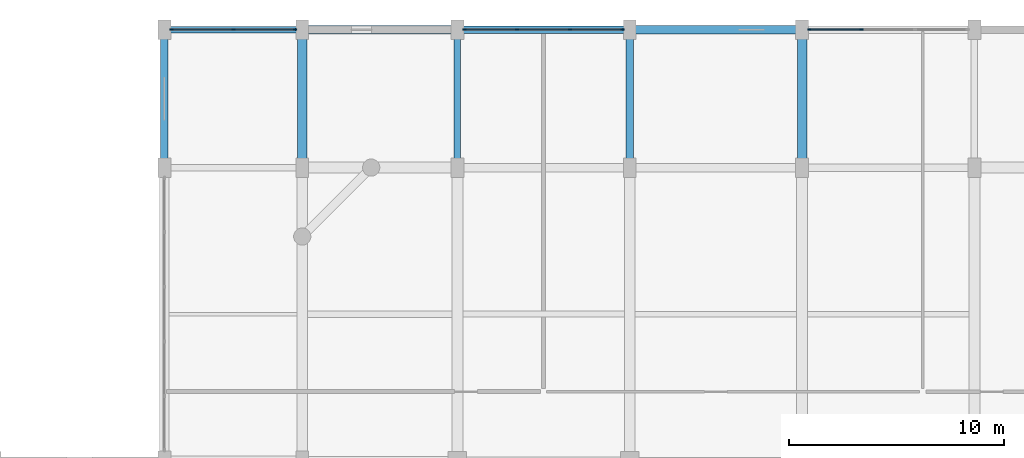
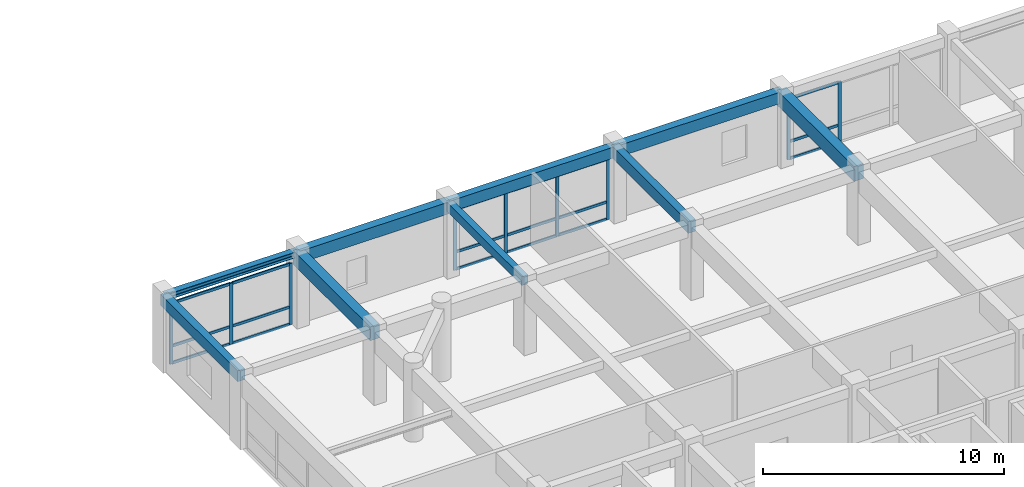
# One storey, part 14 of 27: 27 members, 9 beams, 3 elements without a shape of their own.
"""IFC4 building model written with IfcOpenShell, lengths in metres."""

from ifc_helpers import new_model, si_unit, direction, frame, origin, origin_2d, place, context, subcontext, project, spatial, rectangle, i_section, extrude, material, material_profile, profile_set, type_object, element, aggregate, save


model = new_model("IFC4")

# Units and contexts
model_context = context("Model", 3, precision=1e-05, world=origin(), true_north=direction((0.0, 1.0)))
body_context = subcontext(model_context, "Body", "Model", "MODEL_VIEW")
ifc_project = project(units=[si_unit("LENGTHUNIT", "METRE"), si_unit("AREAUNIT", "SQUARE_METRE"), si_unit("VOLUMEUNIT", "CUBIC_METRE"), si_unit("PLANEANGLEUNIT", "RADIAN"), si_unit("MASSUNIT", "GRAM", prefix="KILO")], contexts=[model_context])

# Site, building, storey
site_placement = place(None, origin())
site = spatial("IfcSite", under=ifc_project, at=site_placement, CompositionType="ELEMENT")
building_placement = place(site_placement, origin())
building = spatial("IfcBuilding", under=site, at=building_placement, Name="Vellmiral Cinema and Media Centre", CompositionType="ELEMENT")
storey_placement = place(building_placement, frame((0.0, 0.0, 19.800048828125)))
storey = spatial("IfcBuildingStorey", under=building, at=storey_placement, Name="L04", CompositionType="ELEMENT", Elevation=19.800048828125)

# Beams
ifc_material_1 = material(Name="Concrete C40/50", Category="concrete")
ifc_material_profile_1 = material_profile(ifc_material_1, rectangle(XDim=0.300048828125, YDim=0.449951171875, at=origin_2d()), Name="RC 300x450")
ifc_profile_set_1 = profile_set([ifc_material_profile_1], Name="Concrete C40/50")
beam_type_1 = type_object("IfcBeamType", Name="BM-RC-300x450", PredefinedType="BEAM", material=ifc_profile_set_1)
beam_1_placement = place(storey_placement, frame((124.0, 108.800048828125, 3.469970703125), z_axis=(0.0, 1.0, 0.0), x_axis=(-1.0, 0.0, 0.0)))
element("IfcBeam", 1, at=beam_1_placement, inside=storey, type_object=beam_type_1, Name="Grid Beam L04-Y081", PredefinedType="BEAM", context=body_context, shape_type="SweptSolid", body=[
    extrude(rectangle(XDim=0.300048828125, YDim=0.449951171875, at=origin_2d()), origin(), (0.0, 0.0, 1.0), 6.39990234375),
])
ifc_material_2 = material(Name="Concrete C40/50", Category="concrete")
ifc_material_profile_2 = material_profile(ifc_material_2, rectangle(XDim=0.35009765625, YDim=0.60009765625, at=origin_2d()), Name="RC 350x600")
ifc_profile_set_2 = profile_set([ifc_material_profile_2], Name="Concrete C40/50")
beam_type_2 = type_object("IfcBeamType", Name="BM-RC-350x600", PredefinedType="BEAM", material=ifc_profile_set_2)
beam_2_placement = place(storey_placement, frame((132.0, 108.800048828125, 3.39501953125), z_axis=(0.0, 1.0, 0.0), x_axis=(-1.0, 0.0, 0.0)))
element("IfcBeam", 2, at=beam_2_placement, inside=storey, type_object=beam_type_2, Name="Grid Beam L04-Y088", PredefinedType="BEAM", context=body_context, shape_type="SweptSolid", body=[
    extrude(rectangle(XDim=0.35009765625, YDim=0.60009765625, at=origin_2d()), origin(), (0.0, 0.0, 1.0), 6.39990234375),
])
ifc_material_3 = material(Name="Concrete C40/50", Category="concrete")
ifc_material_profile_3 = material_profile(ifc_material_3, rectangle(XDim=0.449951171875, YDim=0.699951171875, at=origin_2d()), Name="RC 450x700")
ifc_profile_set_3 = profile_set([ifc_material_profile_3], Name="Concrete C40/50")
beam_type_3 = type_object("IfcBeamType", Name="BM-RC-450x700", PredefinedType="BEAM", material=ifc_profile_set_3)
beam_3_placement = place(storey_placement, frame((116.800048828125, 108.800048828125, 3.344970703125), z_axis=(0.0, 1.0, 0.0), x_axis=(-1.0, 0.0, 0.0)))
element("IfcBeam", 3, at=beam_3_placement, inside=storey, type_object=beam_type_3, Name="Grid Beam L04-Y074", PredefinedType="BEAM", context=body_context, shape_type="SweptSolid", body=[
    extrude(rectangle(XDim=0.449951171875, YDim=0.699951171875, at=origin_2d()), origin(), (0.0, 0.0, 1.0), 6.39990234375),
])
ifc_material_4 = material(Name="Concrete C40/50", Category="concrete")
ifc_material_profile_4 = material_profile(ifc_material_4, rectangle(XDim=0.449951171875, YDim=0.75, at=origin_2d()), Name="RC 450x750")
ifc_profile_set_4 = profile_set([ifc_material_profile_4], Name="Concrete C40/50")
beam_type_4 = type_object("IfcBeamType", Name="BM-RC-450x750", PredefinedType="BEAM", material=ifc_profile_set_4)
beam_4_placement = place(storey_placement, frame((140.0, 108.800048828125, 3.320068359375), z_axis=(0.0, 1.0, 0.0), x_axis=(-1.0, 0.0, 0.0)))
element("IfcBeam", 4, at=beam_4_placement, inside=storey, type_object=beam_type_4, Name="Grid Beam L04-Y095", PredefinedType="BEAM", context=body_context, shape_type="SweptSolid", body=[
    extrude(rectangle(XDim=0.449951171875, YDim=0.75, at=origin_2d()), origin(), (0.0, 0.0, 1.0), 6.39990234375),
])

# Curtain wall, members
ifc_material_5 = material(Name="Thermally Broken Aluminium and Triple Glazing", Category="aluminium")
curtain_wall_type = type_object("IfcCurtainWallType", Name="CW-TOWER-LOW-S", PredefinedType="USERDEFINED", material=ifc_material_5)
curtain_wall_1_placement = place(storey_placement, origin())
curtain_wall_1 = element("IfcCurtainWall", 5, at=curtain_wall_1_placement, inside=storey, type_object=curtain_wall_type, Name="Curtain Wall L04-B023", ObjectType="UNITISED CURTAIN WALL", PredefinedType="USERDEFINED")
ifc_material_6 = material(Name="Thermally Broken Anodised Aluminium", Category="aluminium")
ifc_material_profile_5 = material_profile(ifc_material_6, rectangle(XDim=0.06494140625, YDim=0.159912109375, at=origin_2d()), Name="MULL 65x160")
ifc_profile_set_5 = profile_set([ifc_material_profile_5], Name="Thermally Broken Anodised Aluminium")
member_type_1 = type_object("IfcMemberType", Name="CWM-65x160", PredefinedType="MULLION", material=ifc_profile_set_5)
member_1_placement = place(storey_placement, frame((142.7666015625, 115.199951171875, 0.0), z_axis=(0.0, 0.0, 1.0), x_axis=(0.0, -1.0, 0.0)))
member_1 = element("IfcMember", 6, at=member_1_placement, type_object=member_type_1, Name="CW-06 mullion 3", PredefinedType="MULLION", context=body_context, shape_type="SweptSolid", body=[
    extrude(rectangle(XDim=0.06494140625, YDim=0.159912109375, at=origin_2d()), origin(), (0.0, 0.0, 1.0), 3.099853515625),
])
member_2_placement = place(storey_placement, frame((140.33251953125, 115.199951171875, 0.0), z_axis=(0.0, 0.0, 1.0), x_axis=(0.0, -1.0, 0.0)))
member_2 = element("IfcMember", 7, at=member_2_placement, type_object=member_type_1, Name="CW-06 mullion 4", PredefinedType="MULLION", context=body_context, shape_type="SweptSolid", body=[
    extrude(rectangle(XDim=0.06494140625, YDim=0.159912109375, at=origin_2d()), origin(), (0.0, 0.0, 1.0), 3.099853515625),
])

curtain_wall_2_placement = place(storey_placement, origin())
curtain_wall_2 = element("IfcCurtainWall", 8, at=curtain_wall_2_placement, inside=storey, type_object=curtain_wall_type, Name="Curtain Wall L04-B025", ObjectType="UNITISED CURTAIN WALL", PredefinedType="USERDEFINED")
member_3_placement = place(storey_placement, frame((131.66748046875, 115.199951171875, 0.0), z_axis=(0.0, 0.0, 1.0), x_axis=(0.0, -1.0, 0.0)))
member_3 = element("IfcMember", 9, at=member_3_placement, type_object=member_type_1, Name="CW-06 mullion 1", PredefinedType="MULLION", context=body_context, shape_type="SweptSolid", body=[
    extrude(rectangle(XDim=0.06494140625, YDim=0.159912109375, at=origin_2d()), origin(), (0.0, 0.0, 1.0), 3.099853515625),
])
member_4_placement = place(storey_placement, frame((129.2333984375, 115.199951171875, 0.0), z_axis=(0.0, 0.0, 1.0), x_axis=(0.0, -1.0, 0.0)))
member_4 = element("IfcMember", 10, at=member_4_placement, type_object=member_type_1, Name="CW-06 mullion 2", PredefinedType="MULLION", context=body_context, shape_type="SweptSolid", body=[
    extrude(rectangle(XDim=0.06494140625, YDim=0.159912109375, at=origin_2d()), origin(), (0.0, 0.0, 1.0), 3.099853515625),
])
member_5_placement = place(storey_placement, frame((126.7666015625, 115.199951171875, 0.0), z_axis=(0.0, 0.0, 1.0), x_axis=(0.0, -1.0, 0.0)))
member_5 = element("IfcMember", 11, at=member_5_placement, type_object=member_type_1, Name="CW-06 mullion 3", PredefinedType="MULLION", context=body_context, shape_type="SweptSolid", body=[
    extrude(rectangle(XDim=0.06494140625, YDim=0.159912109375, at=origin_2d()), origin(), (0.0, 0.0, 1.0), 3.099853515625),
])
member_6_placement = place(storey_placement, frame((124.33251953125, 115.199951171875, 0.0), z_axis=(0.0, 0.0, 1.0), x_axis=(0.0, -1.0, 0.0)))
member_6 = element("IfcMember", 12, at=member_6_placement, type_object=member_type_1, Name="CW-06 mullion 4", PredefinedType="MULLION", context=body_context, shape_type="SweptSolid", body=[
    extrude(rectangle(XDim=0.06494140625, YDim=0.159912109375, at=origin_2d()), origin(), (0.0, 0.0, 1.0), 3.099853515625),
])

curtain_wall_3_placement = place(storey_placement, origin())
curtain_wall_3 = element("IfcCurtainWall", 13, at=curtain_wall_3_placement, inside=storey, type_object=curtain_wall_type, Name="Curtain Wall L04-B027", ObjectType="UNITISED CURTAIN WALL", PredefinedType="USERDEFINED")
member_7_placement = place(storey_placement, frame((116.467529296875, 115.199951171875, 0.0), z_axis=(0.0, 0.0, 1.0), x_axis=(0.0, -1.0, 0.0)))
member_7 = element("IfcMember", 14, at=member_7_placement, type_object=member_type_1, Name="CW-06 mullion 1", PredefinedType="MULLION", context=body_context, shape_type="SweptSolid", body=[
    extrude(rectangle(XDim=0.06494140625, YDim=0.159912109375, at=origin_2d()), origin(), (0.0, 0.0, 1.0), 3.099853515625),
])
member_8_placement = place(storey_placement, frame((113.60009765625, 115.199951171875, 0.0), z_axis=(0.0, 0.0, 1.0), x_axis=(0.0, -1.0, 0.0)))
member_8 = element("IfcMember", 15, at=member_8_placement, type_object=member_type_1, Name="CW-06 mullion 2", PredefinedType="MULLION", context=body_context, shape_type="SweptSolid", body=[
    extrude(rectangle(XDim=0.06494140625, YDim=0.159912109375, at=origin_2d()), origin(), (0.0, 0.0, 1.0), 3.099853515625),
])
member_9_placement = place(storey_placement, frame((110.732421875, 115.199951171875, 0.0), z_axis=(0.0, 0.0, 1.0), x_axis=(0.0, -1.0, 0.0)))
member_9 = element("IfcMember", 16, at=member_9_placement, type_object=member_type_1, Name="CW-06 mullion 3", PredefinedType="MULLION", context=body_context, shape_type="SweptSolid", body=[
    extrude(rectangle(XDim=0.06494140625, YDim=0.159912109375, at=origin_2d()), origin(), (0.0, 0.0, 1.0), 3.099853515625),
])

# Member
ifc_material_7 = material(Name="Thermally Broken Anodised Aluminium", Category="aluminium")
ifc_material_profile_6 = material_profile(ifc_material_7, rectangle(XDim=0.06494140625, YDim=0.135009765625, at=origin_2d()), Name="MULL 65x135")
ifc_profile_set_6 = profile_set([ifc_material_profile_6], Name="Thermally Broken Anodised Aluminium")
member_type_2 = type_object("IfcMemberType", Name="CWT-65x135", PredefinedType="USERDEFINED", material=ifc_profile_set_6)
member_10_placement = place(storey_placement, frame((142.734130859375, 115.199951171875, 0.032470703125), z_axis=(-1.0, 0.0, 0.0), x_axis=(0.0, -1.0, 0.0)))
member_10 = element("IfcMember", 17, at=member_10_placement, type_object=member_type_2, Name="CW-06 transom 3.1", ObjectType="TRANSOM", PredefinedType="USERDEFINED", context=body_context, shape_type="SweptSolid", body=[
    extrude(rectangle(XDim=0.06494140625, YDim=0.135009765625, at=origin_2d()), origin(), (0.0, 0.0, 1.0), 2.369140625),
])

member_11_placement = place(storey_placement, frame((142.734130859375, 115.199951171875, 0.89990234375), z_axis=(-1.0, 0.0, 0.0), x_axis=(0.0, -1.0, 0.0)))
member_11 = element("IfcMember", 18, at=member_11_placement, type_object=member_type_2, Name="CW-06 transom 3.2", ObjectType="TRANSOM", PredefinedType="USERDEFINED", context=body_context, shape_type="SweptSolid", body=[
    extrude(rectangle(XDim=0.06494140625, YDim=0.135009765625, at=origin_2d()), origin(), (0.0, 0.0, 1.0), 2.369140625),
])

member_12_placement = place(storey_placement, frame((142.734130859375, 115.199951171875, 3.0673828125), z_axis=(-1.0, 0.0, 0.0), x_axis=(0.0, -1.0, 0.0)))
member_12 = element("IfcMember", 19, at=member_12_placement, type_object=member_type_2, Name="CW-06 transom 3.3", ObjectType="TRANSOM", PredefinedType="USERDEFINED", context=body_context, shape_type="SweptSolid", body=[
    extrude(rectangle(XDim=0.06494140625, YDim=0.135009765625, at=origin_2d()), origin(), (0.0, 0.0, 1.0), 2.369140625),
])

aggregate(curtain_wall_1, [member_1, member_2, member_10, member_11, member_12])

member_13_placement = place(storey_placement, frame((131.635009765625, 115.199951171875, 0.032470703125), z_axis=(-1.0, 0.0, 0.0), x_axis=(0.0, -1.0, 0.0)))
member_13 = element("IfcMember", 20, at=member_13_placement, type_object=member_type_2, Name="CW-06 transom 1.1", ObjectType="TRANSOM", PredefinedType="USERDEFINED", context=body_context, shape_type="SweptSolid", body=[
    extrude(rectangle(XDim=0.06494140625, YDim=0.135009765625, at=origin_2d()), origin(), (0.0, 0.0, 1.0), 2.369140625),
])

member_14_placement = place(storey_placement, frame((131.635009765625, 115.199951171875, 0.89990234375), z_axis=(-1.0, 0.0, 0.0), x_axis=(0.0, -1.0, 0.0)))
member_14 = element("IfcMember", 21, at=member_14_placement, type_object=member_type_2, Name="CW-06 transom 1.2", ObjectType="TRANSOM", PredefinedType="USERDEFINED", context=body_context, shape_type="SweptSolid", body=[
    extrude(rectangle(XDim=0.06494140625, YDim=0.135009765625, at=origin_2d()), origin(), (0.0, 0.0, 1.0), 2.369140625),
])

member_15_placement = place(storey_placement, frame((131.635009765625, 115.199951171875, 3.0673828125), z_axis=(-1.0, 0.0, 0.0), x_axis=(0.0, -1.0, 0.0)))
member_15 = element("IfcMember", 22, at=member_15_placement, type_object=member_type_2, Name="CW-06 transom 1.3", ObjectType="TRANSOM", PredefinedType="USERDEFINED", context=body_context, shape_type="SweptSolid", body=[
    extrude(rectangle(XDim=0.06494140625, YDim=0.135009765625, at=origin_2d()), origin(), (0.0, 0.0, 1.0), 2.369140625),
])

member_16_placement = place(storey_placement, frame((129.200927734375, 115.199951171875, 0.032470703125), z_axis=(-1.0, 0.0, 0.0), x_axis=(0.0, -1.0, 0.0)))
member_16 = element("IfcMember", 23, at=member_16_placement, type_object=member_type_2, Name="CW-06 transom 2.1", ObjectType="TRANSOM", PredefinedType="USERDEFINED", context=body_context, shape_type="SweptSolid", body=[
    extrude(rectangle(XDim=0.06494140625, YDim=0.135009765625, at=origin_2d()), origin(), (0.0, 0.0, 1.0), 2.40185546875),
])

member_17_placement = place(storey_placement, frame((129.200927734375, 115.199951171875, 0.89990234375), z_axis=(-1.0, 0.0, 0.0), x_axis=(0.0, -1.0, 0.0)))
member_17 = element("IfcMember", 24, at=member_17_placement, type_object=member_type_2, Name="CW-06 transom 2.2", ObjectType="TRANSOM", PredefinedType="USERDEFINED", context=body_context, shape_type="SweptSolid", body=[
    extrude(rectangle(XDim=0.06494140625, YDim=0.135009765625, at=origin_2d()), origin(), (0.0, 0.0, 1.0), 2.40185546875),
])

member_18_placement = place(storey_placement, frame((129.200927734375, 115.199951171875, 3.0673828125), z_axis=(-1.0, 0.0, 0.0), x_axis=(0.0, -1.0, 0.0)))
member_18 = element("IfcMember", 25, at=member_18_placement, type_object=member_type_2, Name="CW-06 transom 2.3", ObjectType="TRANSOM", PredefinedType="USERDEFINED", context=body_context, shape_type="SweptSolid", body=[
    extrude(rectangle(XDim=0.06494140625, YDim=0.135009765625, at=origin_2d()), origin(), (0.0, 0.0, 1.0), 2.40185546875),
])

member_19_placement = place(storey_placement, frame((126.734130859375, 115.199951171875, 0.032470703125), z_axis=(-1.0, 0.0, 0.0), x_axis=(0.0, -1.0, 0.0)))
member_19 = element("IfcMember", 26, at=member_19_placement, type_object=member_type_2, Name="CW-06 transom 3.1", ObjectType="TRANSOM", PredefinedType="USERDEFINED", context=body_context, shape_type="SweptSolid", body=[
    extrude(rectangle(XDim=0.06494140625, YDim=0.135009765625, at=origin_2d()), origin(), (0.0, 0.0, 1.0), 2.369140625),
])

member_20_placement = place(storey_placement, frame((126.734130859375, 115.199951171875, 0.89990234375), z_axis=(-1.0, 0.0, 0.0), x_axis=(0.0, -1.0, 0.0)))
member_20 = element("IfcMember", 27, at=member_20_placement, type_object=member_type_2, Name="CW-06 transom 3.2", ObjectType="TRANSOM", PredefinedType="USERDEFINED", context=body_context, shape_type="SweptSolid", body=[
    extrude(rectangle(XDim=0.06494140625, YDim=0.135009765625, at=origin_2d()), origin(), (0.0, 0.0, 1.0), 2.369140625),
])

member_21_placement = place(storey_placement, frame((126.734130859375, 115.199951171875, 3.0673828125), z_axis=(-1.0, 0.0, 0.0), x_axis=(0.0, -1.0, 0.0)))
member_21 = element("IfcMember", 28, at=member_21_placement, type_object=member_type_2, Name="CW-06 transom 3.3", ObjectType="TRANSOM", PredefinedType="USERDEFINED", context=body_context, shape_type="SweptSolid", body=[
    extrude(rectangle(XDim=0.06494140625, YDim=0.135009765625, at=origin_2d()), origin(), (0.0, 0.0, 1.0), 2.369140625),
])

aggregate(curtain_wall_2, [member_3, member_4, member_5, member_6, member_13, member_14, member_15, member_16, member_17, member_18, member_19, member_20, member_21])

member_22_placement = place(storey_placement, frame((116.43505859375, 115.199951171875, 0.032470703125), z_axis=(-1.0, 0.0, 0.0), x_axis=(0.0, -1.0, 0.0)))
member_22 = element("IfcMember", 29, at=member_22_placement, type_object=member_type_2, Name="CW-06 transom 1.1", ObjectType="TRANSOM", PredefinedType="USERDEFINED", context=body_context, shape_type="SweptSolid", body=[
    extrude(rectangle(XDim=0.06494140625, YDim=0.135009765625, at=origin_2d()), origin(), (0.0, 0.0, 1.0), 2.802490234375),
])

member_23_placement = place(storey_placement, frame((116.43505859375, 115.199951171875, 0.89990234375), z_axis=(-1.0, 0.0, 0.0), x_axis=(0.0, -1.0, 0.0)))
member_23 = element("IfcMember", 30, at=member_23_placement, type_object=member_type_2, Name="CW-06 transom 1.2", ObjectType="TRANSOM", PredefinedType="USERDEFINED", context=body_context, shape_type="SweptSolid", body=[
    extrude(rectangle(XDim=0.06494140625, YDim=0.135009765625, at=origin_2d()), origin(), (0.0, 0.0, 1.0), 2.802490234375),
])

member_24_placement = place(storey_placement, frame((116.43505859375, 115.199951171875, 3.0673828125), z_axis=(-1.0, 0.0, 0.0), x_axis=(0.0, -1.0, 0.0)))
member_24 = element("IfcMember", 31, at=member_24_placement, type_object=member_type_2, Name="CW-06 transom 1.3", ObjectType="TRANSOM", PredefinedType="USERDEFINED", context=body_context, shape_type="SweptSolid", body=[
    extrude(rectangle(XDim=0.06494140625, YDim=0.135009765625, at=origin_2d()), origin(), (0.0, 0.0, 1.0), 2.802490234375),
])

member_25_placement = place(storey_placement, frame((113.5673828125, 115.199951171875, 0.032470703125), z_axis=(-1.0, 0.0, 0.0), x_axis=(0.0, -1.0, 0.0)))
member_25 = element("IfcMember", 32, at=member_25_placement, type_object=member_type_2, Name="CW-06 transom 2.1", ObjectType="TRANSOM", PredefinedType="USERDEFINED", context=body_context, shape_type="SweptSolid", body=[
    extrude(rectangle(XDim=0.06494140625, YDim=0.135009765625, at=origin_2d()), origin(), (0.0, 0.0, 1.0), 2.802490234375),
])

member_26_placement = place(storey_placement, frame((113.5673828125, 115.199951171875, 0.89990234375), z_axis=(-1.0, 0.0, 0.0), x_axis=(0.0, -1.0, 0.0)))
member_26 = element("IfcMember", 33, at=member_26_placement, type_object=member_type_2, Name="CW-06 transom 2.2", ObjectType="TRANSOM", PredefinedType="USERDEFINED", context=body_context, shape_type="SweptSolid", body=[
    extrude(rectangle(XDim=0.06494140625, YDim=0.135009765625, at=origin_2d()), origin(), (0.0, 0.0, 1.0), 2.802490234375),
])

member_27_placement = place(storey_placement, frame((113.5673828125, 115.199951171875, 3.0673828125), z_axis=(-1.0, 0.0, 0.0), x_axis=(0.0, -1.0, 0.0)))
member_27 = element("IfcMember", 34, at=member_27_placement, type_object=member_type_2, Name="CW-06 transom 2.3", ObjectType="TRANSOM", PredefinedType="USERDEFINED", context=body_context, shape_type="SweptSolid", body=[
    extrude(rectangle(XDim=0.06494140625, YDim=0.135009765625, at=origin_2d()), origin(), (0.0, 0.0, 1.0), 2.802490234375),
])

aggregate(curtain_wall_3, [member_7, member_8, member_9, member_22, member_23, member_24, member_25, member_26, member_27])

# Beams
ifc_material_8 = material(Name="Steel S355", Category="steel")
ifc_material_profile_7 = material_profile(ifc_material_8, i_section(OverallWidth=0.300048828125, OverallDepth=0.300048828125, WebThickness=0.010986328125, FlangeThickness=0.01904296875, FilletRadius=0.027099609375, at=origin_2d()), Name="HEB 300")
ifc_profile_set_7 = profile_set([ifc_material_profile_7], Name="Steel S355")
beam_type_5 = type_object("IfcBeamType", Name="SBM-HEB300", PredefinedType="SPANDREL", material=ifc_profile_set_7)
beam_5_placement = place(storey_placement, frame((110.39990234375, 115.199951171875, 3.544921875), z_axis=(1.0, 0.0, 0.0), x_axis=(0.0, 1.0, 0.0)))
element("IfcBeam", 35, at=beam_5_placement, inside=storey, type_object=beam_type_5, Name="Grid Beam L04-X055", PredefinedType="SPANDREL", context=body_context, shape_type="SweptSolid", body=[
    extrude(i_section(OverallWidth=0.300048828125, OverallDepth=0.300048828125, WebThickness=0.010986328125, FlangeThickness=0.01904296875, FilletRadius=0.027099609375, at=origin_2d()), origin(), (0.0, 0.0, 1.0), 6.400146484375),
])
ifc_material_9 = material(Name="Concrete C40/50", Category="concrete")
ifc_material_profile_8 = material_profile(ifc_material_9, rectangle(XDim=0.35009765625, YDim=0.56005859375, at=origin_2d()), Name="RC 350x560")
ifc_profile_set_8 = profile_set([ifc_material_profile_8], Name="Concrete C40/50")
beam_type_6 = type_object("IfcBeamType", Name="SPD-RC-350x560", PredefinedType="SPANDREL", material=ifc_profile_set_8)
beam_6_placement = place(storey_placement, frame((124.0, 115.199951171875, 3.4150390625), z_axis=(1.0, 0.0, 0.0), x_axis=(0.0, 1.0, 0.0)))
element("IfcBeam", 36, at=beam_6_placement, inside=storey, type_object=beam_type_6, Name="Grid Beam L04-X057", PredefinedType="SPANDREL", context=body_context, shape_type="SweptSolid", body=[
    extrude(rectangle(XDim=0.35009765625, YDim=0.56005859375, at=origin_2d()), origin(), (0.0, 0.0, 1.0), 8.0),
])
beam_7_placement = place(storey_placement, frame((110.39990234375, 108.800048828125, 3.4150390625), z_axis=(0.0, 1.0, 0.0), x_axis=(-1.0, 0.0, 0.0)))
element("IfcBeam", 37, at=beam_7_placement, inside=storey, type_object=beam_type_6, Name="Grid Beam L04-Y067", PredefinedType="SPANDREL", context=body_context, shape_type="SweptSolid", body=[
    extrude(rectangle(XDim=0.35009765625, YDim=0.56005859375, at=origin_2d()), origin(), (0.0, 0.0, 1.0), 6.39990234375),
])
ifc_material_10 = material(Name="Concrete C40/50", Category="concrete")
ifc_material_profile_9 = material_profile(ifc_material_10, rectangle(XDim=0.39990234375, YDim=0.60009765625, at=origin_2d()), Name="RC 400x600")
ifc_profile_set_9 = profile_set([ifc_material_profile_9], Name="Concrete C40/50")
beam_type_7 = type_object("IfcBeamType", Name="SPD-RC-400x600", PredefinedType="SPANDREL", material=ifc_profile_set_9)
beam_8_placement = place(storey_placement, frame((116.800048828125, 115.199951171875, 3.39501953125), z_axis=(1.0, 0.0, 0.0), x_axis=(0.0, 1.0, 0.0)))
element("IfcBeam", 38, at=beam_8_placement, inside=storey, type_object=beam_type_7, Name="Grid Beam L04-X056", PredefinedType="SPANDREL", context=body_context, shape_type="SweptSolid", body=[
    extrude(rectangle(XDim=0.39990234375, YDim=0.60009765625, at=origin_2d()), origin(), (0.0, 0.0, 1.0), 7.199951171875),
])
ifc_material_11 = material(Name="Vosges Red Sandstone Masonry", Category="masonry")
ifc_material_profile_10 = material_profile(ifc_material_11, rectangle(XDim=0.3798828125, YDim=0.580078125, at=origin_2d()), Name="SAND 380x580")
ifc_profile_set_10 = profile_set([ifc_material_profile_10], Name="Vosges Red Sandstone Masonry")
beam_type_8 = type_object("IfcBeamType", Name="SPD-SAND-380x580", PredefinedType="SPANDREL", material=ifc_profile_set_10)
beam_9_placement = place(storey_placement, frame((132.0, 115.199951171875, 3.405029296875), z_axis=(1.0, 0.0, 0.0), x_axis=(0.0, 1.0, 0.0)))
element("IfcBeam", 39, at=beam_9_placement, inside=storey, type_object=beam_type_8, Name="Grid Beam L04-X058", PredefinedType="SPANDREL", context=body_context, shape_type="SweptSolid", body=[
    extrude(rectangle(XDim=0.3798828125, YDim=0.580078125, at=origin_2d()), origin(), (0.0, 0.0, 1.0), 8.0),
])

save(model, "model.ifc")
